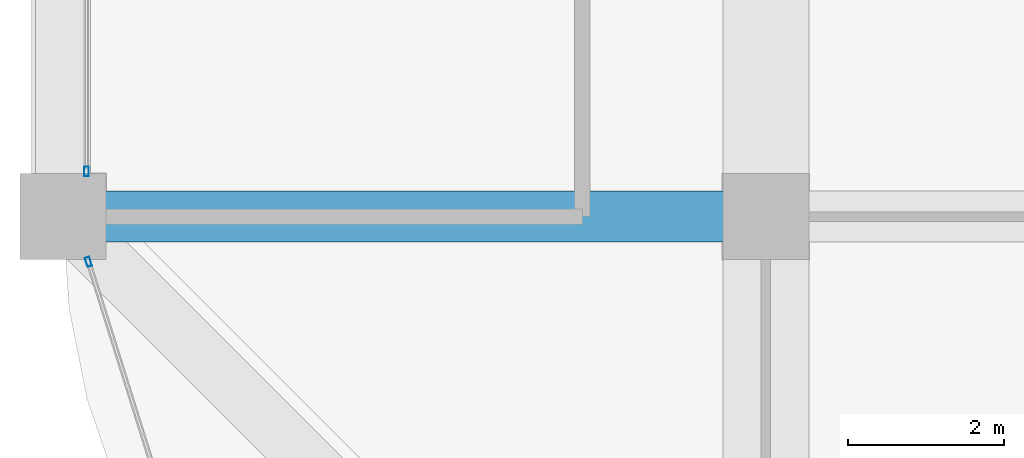
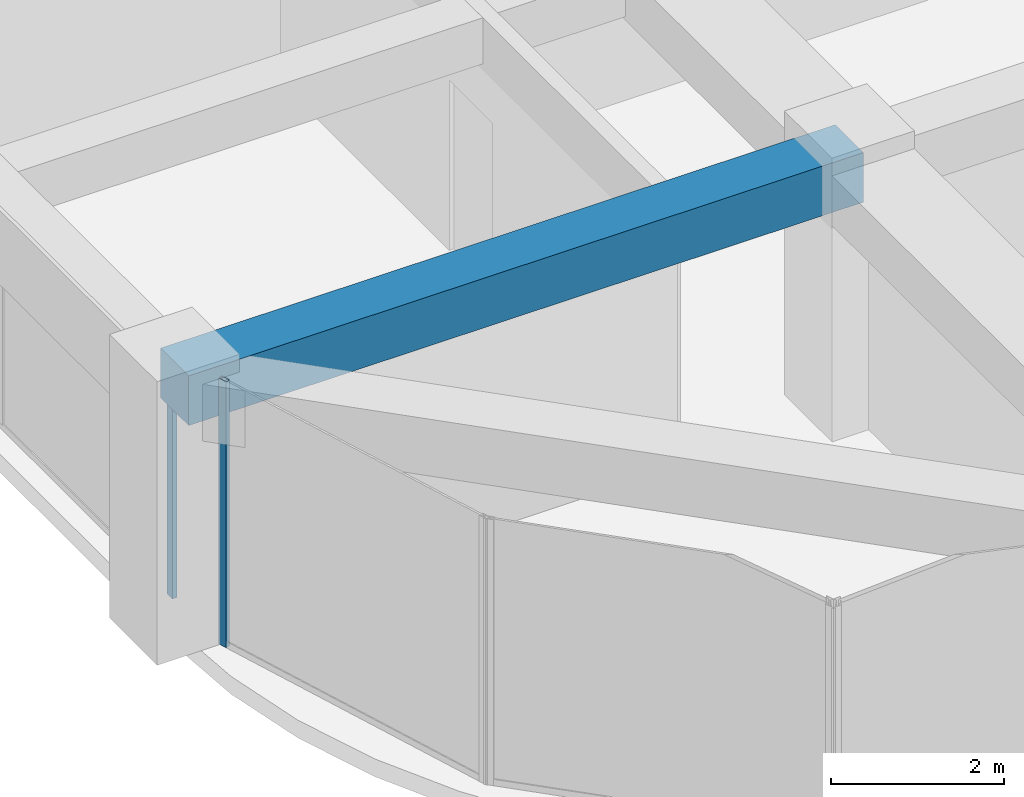
# One storey, part 6 of 44: 2 members, 1 beam, 2 elements without a shape of their own.
"""IFC4 building model written with IfcOpenShell, lengths in metres."""

from ifc_helpers import new_model, si_unit, direction, frame, origin, origin_2d, place, context, subcontext, project, spatial, rectangle, hollow_rectangle, extrude, material, material_profile, profile_set, type_object, element, aggregate, save


model = new_model("IFC4")

# Units and contexts
model_context = context("Model", 3, precision=1e-05, world=origin(), true_north=direction((0.0, 1.0)))
body_context = subcontext(model_context, "Body", "Model", "MODEL_VIEW")
ifc_project = project(units=[si_unit("LENGTHUNIT", "METRE"), si_unit("AREAUNIT", "SQUARE_METRE"), si_unit("VOLUMEUNIT", "CUBIC_METRE"), si_unit("PLANEANGLEUNIT", "RADIAN"), si_unit("MASSUNIT", "GRAM", prefix="KILO")], contexts=[model_context])

# Site, building, storey
site_placement = place(None, origin())
site = spatial("IfcSite", under=ifc_project, at=site_placement, CompositionType="ELEMENT")
building_placement = place(site_placement, origin())
building = spatial("IfcBuilding", under=site, at=building_placement, Name="Zorevar Civic Tower", CompositionType="ELEMENT")
storey_placement = place(building_placement, frame((0.0, 0.0, 263.39990234375)))
storey = spatial("IfcBuildingStorey", under=building, at=storey_placement, Name="L64", CompositionType="ELEMENT", Elevation=263.39990234375)

# Beam
ifc_material_1 = material(Name="Concrete C50/60", Category="concrete")
ifc_material_profile_1 = material_profile(ifc_material_1, rectangle(XDim=0.64990234375, YDim=0.699951171875, at=origin_2d()), Name="RC 650x700")
ifc_profile_set_1 = profile_set([ifc_material_profile_1], Name="Concrete C50/60")
beam_type = type_object("IfcBeamType", Name="Beam RC 650x700", PredefinedType="BEAM", material=ifc_profile_set_1)
beam_placement = place(storey_placement, frame((9.0, 9.0, 3.400146484375), z_axis=(1.0, 0.0, 0.0), x_axis=(0.0, 1.0, 0.0)))
element("IfcBeam", 1, at=beam_placement, inside=storey, type_object=beam_type, Name="Girder L65", PredefinedType="BEAM", context=body_context, shape_type="SweptSolid", body=[
    extrude(rectangle(XDim=0.64990234375, YDim=0.699951171875, at=origin_2d()), origin(), (0.0, 0.0, 1.0), 9.0),
])

# Curtain wall, member
ifc_material_2 = material(Name="Dark grey solar-control glass in black aluminium frame", Category="aluminium")
curtain_wall_type = type_object("IfcCurtainWallType", Name="Curtain wall CW5 top zone", PredefinedType="NOTDEFINED", material=ifc_material_2)
curtain_wall_1_placement = place(storey_placement, origin())
curtain_wall_1 = element("IfcCurtainWall", 2, at=curtain_wall_1_placement, inside=storey, type_object=curtain_wall_type, Name="CW5 L64", PredefinedType="NOTDEFINED")
ifc_material_3 = material(Name="Aluminium, black anodised", Category="aluminium")
ifc_material_profile_2 = material_profile(ifc_material_3, hollow_rectangle(XDim=0.06005859375, YDim=0.1201171875, WallThickness=0.0029296875, at=origin_2d()), Name="AL 120x60x3")
ifc_profile_set_2 = profile_set([ifc_material_profile_2], Name="Aluminium, black anodised")
member_type = type_object("IfcMemberType", Name="CW5 mullion AL 120x60x3", PredefinedType="MULLION", material=ifc_profile_set_2)
member_1_placement = place(storey_placement, frame((9.300048828125, 9.580078125, 0.0), z_axis=(0.0, 0.0, 1.0), x_axis=(-1.0, 0.0, 0.0)))
member_1 = element("IfcMember", 3, at=member_1_placement, type_object=member_type, Name="CW5 mullion 1", PredefinedType="MULLION", context=body_context, shape_type="SweptSolid", body=[
    extrude(hollow_rectangle(XDim=0.06005859375, YDim=0.1201171875, WallThickness=0.0029296875, at=origin_2d()), origin(), (0.0, 0.0, 1.0), 2.9501953125),
])
aggregate(curtain_wall_1, [member_1])

curtain_wall_2_placement = place(storey_placement, origin())
curtain_wall_2 = element("IfcCurtainWall", 4, at=curtain_wall_2_placement, inside=storey, type_object=curtain_wall_type, Name="CW5 L64", PredefinedType="NOTDEFINED")
member_2_placement = place(storey_placement, frame((9.326416015625, 8.42138671875, 0.0), z_axis=(0.0, 0.0, 1.0), x_axis=(0.954153437674, 0.299317920238, 0.0)))
member_2 = element("IfcMember", 5, at=member_2_placement, type_object=member_type, Name="CW5 mullion 1", PredefinedType="MULLION", context=body_context, shape_type="SweptSolid", body=[
    extrude(hollow_rectangle(XDim=0.06005859375, YDim=0.1201171875, WallThickness=0.0029296875, at=origin_2d()), origin(), (0.0, 0.0, 1.0), 3.75),
])
aggregate(curtain_wall_2, [member_2])

save(model, "model.ifc")
